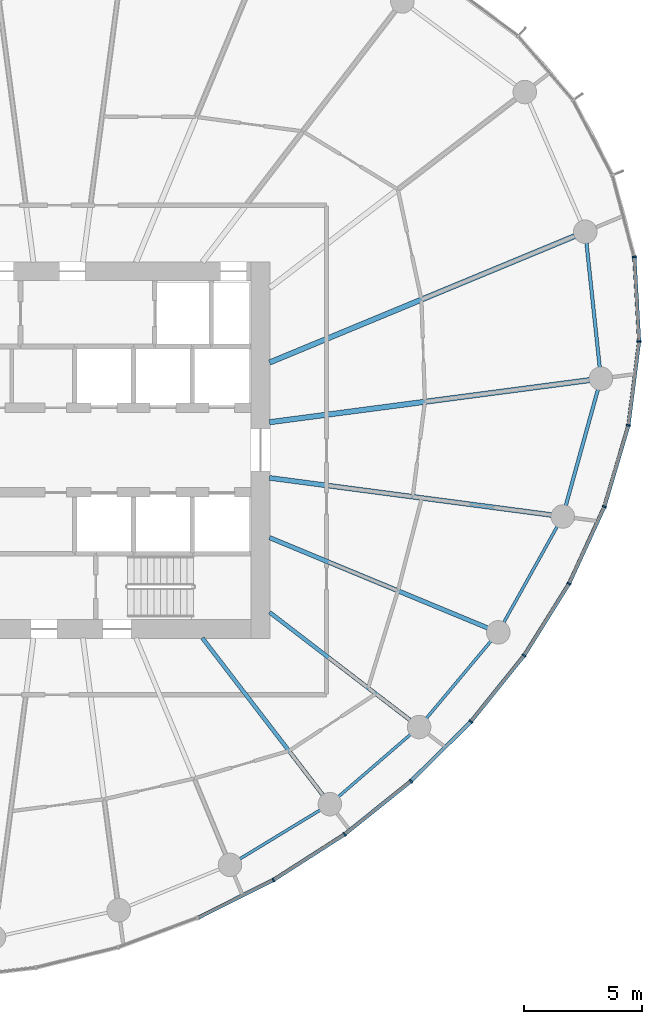
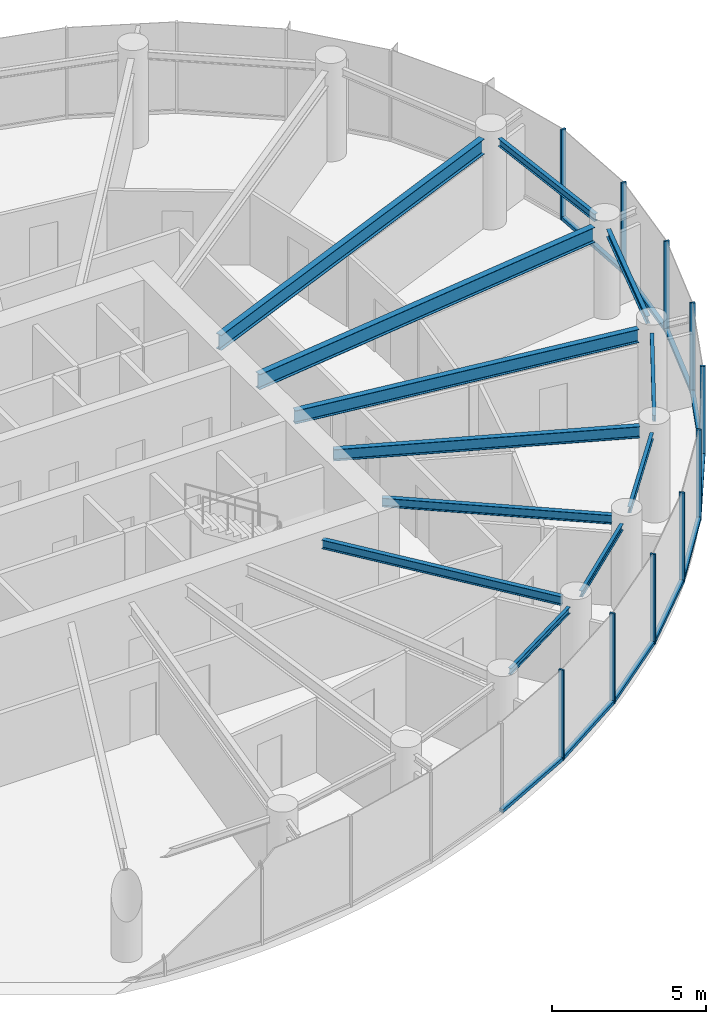
# One storey, part 4 of 14: 20 members, 12 beams, 3 elements without a shape of their own.
"""IFC4 building model written with IfcOpenShell, lengths in metres."""

import ifcopenshell
import ifcopenshell.guid

model = None  # the IFC model being written
_history = None  # IfcOwnerHistory: only IFC2X3 demands one
_inside = {}  # id of a spatial element -> (the spatial element, [elements in it])
_under = {}  # id of a project, library or spatial element -> (it, [spatial elements below it])
_declared = {}  # id of a project -> (the project, [libraries it declares])
_typed = {}  # id of a type object -> (the type object, [elements of that type])
_made_of = {}  # id of a material, layer set ... -> (it, [elements and type objects made of it])


def new_model(schema):
    """Start an empty IFC model of exactly this schema.

    Asked for "IFC4X3", IfcOpenShell would pick the latest addendum, in which some entities
    have other attributes; the version numbers below select the first issue.
    IFC2X3 requires an IfcOwnerHistory on every rooted entity: one is made here for all.
    """
    global model, _history
    if schema == "IFC4X3":
        model = ifcopenshell.file(schema_version=(4, 3, 0, 0))
    else:
        model = ifcopenshell.file(schema=schema)
    _inside.clear()
    _under.clear()
    _declared.clear()
    _typed.clear()
    _made_of.clear()
    _history = None
    if model.schema == "IFC2X3":
        org = make("IfcOrganization", Name="unknown")
        user = make(
            "IfcPersonAndOrganization",
            ThePerson=make("IfcPerson", FamilyName="unknown"),
            TheOrganization=org,
        )
        app = make(
            "IfcApplication",
            ApplicationDeveloper=org,
            Version="unknown",
            ApplicationFullName="unknown",
            ApplicationIdentifier="unknown",
        )
        _history = make(
            "IfcOwnerHistory",
            OwningUser=user,
            OwningApplication=app,
            ChangeAction="ADDED",
            CreationDate=0,
        )
    return model


def make(cls, **values):
    """One entity of the class cls with the attributes given. An attribute that is None is left unset."""
    return model.create_entity(
        cls, **{name: value for name, value in values.items() if value is not None}
    )


def rooted(cls, **values):
    """An entity with a GlobalId (a new one), such as an element, a storey or a relation."""
    return make(cls, GlobalId=ifcopenshell.guid.new(), OwnerHistory=_history, **values)


def si_unit(unit_type, name, prefix=None):
    """IfcSIUnit, for example si_unit("LENGTHUNIT", "METRE", prefix="MILLI")."""
    return make("IfcSIUnit", UnitType=unit_type, Prefix=prefix, Name=name)


def assignment(units):
    """IfcUnitAssignment: the units of a project."""
    return None if units is None else make("IfcUnitAssignment", Units=units)


def point(xyz):
    """IfcCartesianPoint."""
    return None if xyz is None else make("IfcCartesianPoint", Coordinates=xyz)


def direction(xyz):
    """IfcDirection."""
    return None if xyz is None else make("IfcDirection", DirectionRatios=xyz)


def frame(location, z_axis=None, x_axis=None):
    """IfcAxis2Placement3D, a coordinate frame: its origin and axes. An axis left out is left unset."""
    return make(
        "IfcAxis2Placement3D",
        Location=point(location),
        Axis=direction(z_axis),
        RefDirection=direction(x_axis),
    )


def frame_2d(location, x_axis=None):
    """IfcAxis2Placement2D, a coordinate frame in the plane: its origin and x axis."""
    return make(
        "IfcAxis2Placement2D", Location=point(location), RefDirection=direction(x_axis)
    )


def origin():
    """The frame at (0, 0, 0) with its axes left unset."""
    return frame((0.0, 0.0, 0.0))


def origin_2d():
    """The frame at (0, 0) in the plane with its x axis left unset."""
    return frame_2d((0.0, 0.0))


def place(relative_to, where):
    """IfcLocalPlacement: puts the frame where relative to a parent placement (None: the world)."""
    return make(
        "IfcLocalPlacement", PlacementRelTo=relative_to, RelativePlacement=where
    )


def context(
    kind, dimensions, precision=None, world=None, true_north=None, identifier=None
):
    """IfcGeometricRepresentationContext, for example the 3D "Model" context."""
    return make(
        "IfcGeometricRepresentationContext",
        ContextIdentifier=identifier,
        ContextType=kind,
        CoordinateSpaceDimension=dimensions,
        Precision=precision,
        WorldCoordinateSystem=world,
        TrueNorth=true_north,
    )


def subcontext(parent, identifier, kind, view, scale=None):
    """IfcGeometricRepresentationSubContext, for example "Body" below "Model"."""
    return make(
        "IfcGeometricRepresentationSubContext",
        ContextIdentifier=identifier,
        ContextType=kind,
        ParentContext=parent,
        TargetScale=scale,
        TargetView=view,
    )


def project(units=None, contexts=None):
    """IfcProject with its units and contexts."""
    return rooted(
        "IfcProject",
        Name="project",
        RepresentationContexts=contexts,
        UnitsInContext=assignment(units),
    )


def spatial(cls, under=None, at=None, **own):
    """A site, building, storey or space (cls), placed at a placement, below another one or the project."""
    s = rooted(cls, ObjectPlacement=at, **own)
    if under is not None:
        _under.setdefault(under.id(), (under, []))[1].append(s)
    return s


def profile(cls, at=None, kind="AREA", **sizes):
    """A parametric profile (cls). Its sizes go by their IFC names, for example OverallWidth=200.0."""
    return make(cls, ProfileType=kind, Position=at, **sizes)


def rectangle(**sizes):
    """IfcRectangleProfileDef."""
    return profile("IfcRectangleProfileDef", **sizes)


def i_section(**sizes):
    """IfcIShapeProfileDef."""
    return profile("IfcIShapeProfileDef", **sizes)


def extrude(swept, where, along, depth):
    """IfcExtrudedAreaSolid: the profile swept, set in the frame where, extruded along a direction by depth."""
    return make(
        "IfcExtrudedAreaSolid",
        SweptArea=swept,
        Position=where,
        ExtrudedDirection=direction(along),
        Depth=depth,
    )


def shape(context_of_items, identifier, shape_type, items):
    """IfcShapeRepresentation: the items that make up one representation, for example the "Body"."""
    return make(
        "IfcShapeRepresentation",
        ContextOfItems=context_of_items,
        RepresentationIdentifier=identifier,
        RepresentationType=shape_type,
        Items=items,
    )


def source(mapping_origin, context_of_items, identifier, shape_type, items):
    """IfcRepresentationMap: a shape defined once, which mapped items show again and again."""
    return make(
        "IfcRepresentationMap",
        MappingOrigin=mapping_origin,
        MappedRepresentation=shape(context_of_items, identifier, shape_type, items),
    )


def transform(
    local_origin,
    x_axis=None,
    y_axis=None,
    z_axis=None,
    scale=None,
    scale2=None,
    scale3=None,
    uniform=True,
):
    """IfcCartesianTransformationOperator3D, or its non-uniform kind. x_axis, y_axis, z_axis: its Axis1, 2, 3."""
    if uniform:
        return make(
            "IfcCartesianTransformationOperator3D",
            Axis1=direction(x_axis),
            Axis2=direction(y_axis),
            LocalOrigin=point(local_origin),
            Scale=scale,
            Axis3=direction(z_axis),
        )
    return make(
        "IfcCartesianTransformationOperator3DnonUniform",
        Axis1=direction(x_axis),
        Axis2=direction(y_axis),
        LocalOrigin=point(local_origin),
        Scale=scale,
        Axis3=direction(z_axis),
        Scale2=scale2,
        Scale3=scale3,
    )


def mapped(mapping_source, mapping_target):
    """IfcMappedItem: shows the shape of a source again, moved by a transform."""
    return make(
        "IfcMappedItem", MappingSource=mapping_source, MappingTarget=mapping_target
    )


def material(Name=None, Category=None):
    """IfcMaterial."""
    return make("IfcMaterial", Name=Name, Category=Category)


def layer(
    of_material, thickness, ventilated=None, Name=None, Category=None, Priority=None
):
    """IfcMaterialLayer: one layer of a wall or slab, of a material (None: an air gap)."""
    return make(
        "IfcMaterialLayer",
        Material=of_material,
        LayerThickness=thickness,
        IsVentilated=ventilated,
        Name=Name,
        Category=Category,
        Priority=Priority,
    )


def layer_set(layers, Name=None):
    """IfcMaterialLayerSet."""
    return make("IfcMaterialLayerSet", MaterialLayers=layers, LayerSetName=Name)


def material_profile(
    of_material, cross_section, Name=None, Category=None, Priority=None
):
    """IfcMaterialProfile: a cross section and its material."""
    return make(
        "IfcMaterialProfile",
        Name=Name,
        Material=of_material,
        Profile=cross_section,
        Priority=Priority,
        Category=Category,
    )


def profile_set(profiles, Name=None, composite=None):
    """IfcMaterialProfileSet."""
    return make(
        "IfcMaterialProfileSet",
        Name=Name,
        MaterialProfiles=profiles,
        CompositeProfile=composite,
    )


def made_of(thing, what):
    """Note that an element or type object is made of a material, layer set ...; save() writes the relation."""
    if what is not None:
        _made_of.setdefault(what.id(), (what, []))[1].append(thing)
    return thing


def type_object(cls, material=None, **own):
    """A type object (cls), such as IfcWallType, which elements share."""
    return made_of(rooted(cls, **own), material)


def element(
    cls,
    number,
    at=None,
    inside=None,
    cuts=None,
    type_object=None,
    material=None,
    context=None,
    identifier="Body",
    shape_type=None,
    held_by="IfcProductDefinitionShape",
    body=None,
    shapes=None,
    **own,
):
    """One element of the class cls, such as IfcWall. Its Tag is "e" and its number.

    at: its placement. inside: the storey or other place that contains it. cuts: it is an
    opening in that element (IfcRelVoidsElement). A single representation is given by context,
    identifier, shape_type and body (its items); several are given by shapes. held_by: the class
    of the entity that holds the representations. save() writes the other relations.
    """
    e = rooted(cls, Tag="e%d" % number, ObjectPlacement=at, **own)
    if body is not None:
        shapes = [shape(context, identifier, shape_type, body)]
    if shapes is not None:
        e.Representation = make(held_by, Representations=shapes)
    if inside is not None:
        _inside.setdefault(inside.id(), (inside, []))[1].append(e)
    if cuts is not None:
        rooted(
            "IfcRelVoidsElement", RelatingBuildingElement=cuts, RelatedOpeningElement=e
        )
    if type_object is not None:
        _typed.setdefault(type_object.id(), (type_object, []))[1].append(e)
    return made_of(e, material)


def aggregate(whole, parts):
    """IfcRelAggregates: a whole, such as a stair, and the parts it consists of."""
    return rooted("IfcRelAggregates", RelatingObject=whole, RelatedObjects=parts)


def save(model, path):
    """Write the relations noted so far, then the file.

    IfcRelAggregates (storeys below a building ...), IfcRelContainedInSpatialStructure (elements
    in a storey), IfcRelDefinesByType, IfcRelAssociatesMaterial and IfcRelDeclares: one each for
    every whole, place, type object, material and project.
    """
    for whole, parts in _under.values():
        aggregate(whole, parts)
    for where, things in _inside.values():
        rooted(
            "IfcRelContainedInSpatialStructure",
            RelatedElements=things,
            RelatingStructure=where,
        )
    for kind, things in _typed.values():
        rooted("IfcRelDefinesByType", RelatedObjects=things, RelatingType=kind)
    for what, things in _made_of.values():
        rooted("IfcRelAssociatesMaterial", RelatedObjects=things, RelatingMaterial=what)
    for by, libraries in _declared.values():
        rooted("IfcRelDeclares", RelatingContext=by, RelatedDefinitions=libraries)
    model.write(path)


model = new_model("IFC4")

# Units and contexts
model_context = context("Model", 3, precision=1e-05, world=origin(), true_north=direction((0.0, 1.0)))
body_context = subcontext(model_context, "Body", "Model", "MODEL_VIEW")
ifc_project = project(units=[si_unit("LENGTHUNIT", "METRE"), si_unit("AREAUNIT", "SQUARE_METRE"), si_unit("VOLUMEUNIT", "CUBIC_METRE"), si_unit("PLANEANGLEUNIT", "RADIAN"), si_unit("MASSUNIT", "GRAM", prefix="KILO")], contexts=[model_context])

# Site, building, storey
site_placement = place(None, origin())
site = spatial("IfcSite", under=ifc_project, at=site_placement, CompositionType="ELEMENT")
building_placement = place(site_placement, origin())
building = spatial("IfcBuilding", under=site, at=building_placement, Name="Spindrift Exchange Tower", CompositionType="ELEMENT")
storey_placement = place(building_placement, frame((0.0, 0.0, 144.800048828125)))
storey = spatial("IfcBuildingStorey", under=building, at=storey_placement, Name="L34", CompositionType="ELEMENT", Elevation=144.800048828125)

# Beams
ifc_material_1 = material(Name="Steel Grade 300", Category="steel")
ifc_material_profile_1 = material_profile(ifc_material_1, i_section(OverallWidth=0.14892578125, OverallDepth=0.298095703125, WebThickness=0.005615234375, FlangeThickness=0.008056640625, FilletRadius=0.012939453125, at=origin_2d()), Name="310UB32.0")
ifc_profile_set_1 = profile_set([ifc_material_profile_1], Name="Steel Grade 300")
beam_type_1 = type_object("IfcBeamType", Name="Edge Beam 310UB32.0 Steel Grade 300", PredefinedType="SPANDREL", material=ifc_profile_set_1)
shared_shape_1 = source(origin(), body_context, "Body", "SweptSolid", [
    extrude(i_section(OverallWidth=0.14892578125, OverallDepth=0.298095703125, WebThickness=0.005615234375, FlangeThickness=0.008056640625, FilletRadius=0.012939453125, at=origin_2d()), origin(), (0.0, 0.0, 1.0), 5.31640625),
])
beam_1_placement = place(storey_placement, frame((75.010986328125, 51.513427734375, 3.430908203125), z_axis=(-0.10598990948, 0.994367205357, 0.0), x_axis=(-0.994367205357, -0.10598990948, 0.0)))
element("IfcBeam", 1, at=beam_1_placement, inside=storey, type_object=beam_type_1, Name="L34 edge beam E01", PredefinedType="SPANDREL", context=body_context, shape_type="MappedRepresentation", body=[
    mapped(shared_shape_1, transform((0.0, 0.0, 0.0), scale=1.0)),
])
ifc_material_profile_2 = material_profile(ifc_material_1, i_section(OverallWidth=0.1240234375, OverallDepth=0.248046875, WebThickness=0.0048828125, FlangeThickness=0.008056640625, FilletRadius=0.011962890625, at=origin_2d()), Name="250UB25.7")
ifc_profile_set_2 = profile_set([ifc_material_profile_2], Name="Steel Grade 300")
beam_type_2 = type_object("IfcBeamType", Name="Edge Beam 250UB25.7 Steel Grade 300", PredefinedType="SPANDREL", material=ifc_profile_set_2)
shared_shape_2 = source(origin(), body_context, "Body", "SweptSolid", [
    extrude(i_section(OverallWidth=0.1240234375, OverallDepth=0.248046875, WebThickness=0.0048828125, FlangeThickness=0.008056640625, FilletRadius=0.011962890625, at=origin_2d()), origin(), (0.0, 0.0, 1.0), 4.00634765625),
])
beam_2_placement = place(storey_placement, frame((59.7109375, 30.623779296875, 3.4560546875), z_axis=(0.854331495603, 0.519728482596, 0.0), x_axis=(-0.519728482596, 0.854331495603, 0.0)))
element("IfcBeam", 2, at=beam_2_placement, inside=storey, type_object=beam_type_2, Name="L34 edge beam E20", PredefinedType="SPANDREL", context=body_context, shape_type="MappedRepresentation", body=[
    mapped(shared_shape_2, transform((0.0, 0.0, 0.0), scale=1.0)),
])
shared_shape_3 = source(origin(), body_context, "Body", "SweptSolid", [
    extrude(i_section(OverallWidth=0.1240234375, OverallDepth=0.248046875, WebThickness=0.0048828125, FlangeThickness=0.008056640625, FilletRadius=0.011962890625, at=origin_2d()), origin(), (0.0, 0.0, 1.0), 4.052001953125),
])
beam_3_placement = place(storey_placement, frame((63.906982421875, 33.269287109375, 3.4560546875), z_axis=(0.756715968535, 0.65374379, 0.0), x_axis=(-0.65374379, 0.756715968535, 0.0)))
element("IfcBeam", 3, at=beam_3_placement, inside=storey, type_object=beam_type_2, Name="L34 edge beam E21", PredefinedType="SPANDREL", context=body_context, shape_type="MappedRepresentation", body=[
    mapped(shared_shape_3, transform((0.0, 0.0, 0.0), scale=1.0)),
])
shared_shape_4 = source(origin(), body_context, "Body", "SweptSolid", [
    extrude(i_section(OverallWidth=0.1240234375, OverallDepth=0.248046875, WebThickness=0.0048828125, FlangeThickness=0.008056640625, FilletRadius=0.011962890625, at=origin_2d()), origin(), (0.0, 0.0, 1.0), 4.282958984375),
])
beam_4_placement = place(storey_placement, frame((67.644287109375, 36.600341796875, 3.4560546875), z_axis=(0.641400288548, 0.767206406289, 0.0), x_axis=(-0.767206406289, 0.641400288548, 0.0)))
element("IfcBeam", 4, at=beam_4_placement, inside=storey, type_object=beam_type_2, Name="L34 edge beam E22", PredefinedType="SPANDREL", context=body_context, shape_type="MappedRepresentation", body=[
    mapped(shared_shape_4, transform((0.0, 0.0, 0.0), scale=1.0)),
])
shared_shape_5 = source(origin(), body_context, "Body", "SweptSolid", [
    extrude(i_section(OverallWidth=0.1240234375, OverallDepth=0.248046875, WebThickness=0.0048828125, FlangeThickness=0.008056640625, FilletRadius=0.011962890625, at=origin_2d()), origin(), (0.0, 0.0, 1.0), 4.6748046875),
])
beam_5_placement = place(storey_placement, frame((70.932861328125, 40.673828125, 3.4560546875), z_axis=(0.486587145143, 0.873632045075, 0.0), x_axis=(-0.873632045075, 0.486587145143, 0.0)))
element("IfcBeam", 5, at=beam_5_placement, inside=storey, type_object=beam_type_2, Name="L34 edge beam E23", PredefinedType="SPANDREL", context=body_context, shape_type="MappedRepresentation", body=[
    mapped(shared_shape_5, transform((0.0, 0.0, 0.0), scale=1.0)),
])
shared_shape_6 = source(origin(), body_context, "Body", "SweptSolid", [
    extrude(i_section(OverallWidth=0.14892578125, OverallDepth=0.298095703125, WebThickness=0.005615234375, FlangeThickness=0.008056640625, FilletRadius=0.012939453125, at=origin_2d()), origin(), (0.0, 0.0, 1.0), 5.118896484375),
])
beam_6_placement = place(storey_placement, frame((73.569091796875, 45.639892578125, 3.430908203125), z_axis=(0.266654866605, 0.963792084485, 0.0), x_axis=(-0.963792084485, 0.266654866605, 0.0)))
element("IfcBeam", 6, at=beam_6_placement, inside=storey, type_object=beam_type_1, Name="L34 edge beam E24", PredefinedType="SPANDREL", context=body_context, shape_type="MappedRepresentation", body=[
    mapped(shared_shape_6, transform((0.0, 0.0, 0.0), scale=1.0)),
])
ifc_material_profile_3 = material_profile(ifc_material_1, i_section(OverallWidth=0.22802734375, OverallDepth=0.60205078125, WebThickness=0.010498046875, FlangeThickness=0.014892578125, FilletRadius=0.013916015625, at=origin_2d()), Name="610UB101")
ifc_profile_set_3 = profile_set([ifc_material_profile_3], Name="Steel Grade 300")
beam_type_3 = type_object("IfcBeamType", Name="Floor Beam 610UB101 Steel Grade 300", PredefinedType="BEAM", material=ifc_profile_set_3)
shared_shape_7 = source(origin(), body_context, "Body", "SweptSolid", [
    extrude(i_section(OverallWidth=0.22802734375, OverallDepth=0.60205078125, WebThickness=0.010498046875, FlangeThickness=0.014892578125, FilletRadius=0.013916015625, at=origin_2d()), origin(), (0.0, 0.0, 1.0), 13.723388671875),
])
beam_7_placement = place(storey_placement, frame((60.980224609375, 49.182373046875, 3.279052734375), z_axis=(0.991447148915, 0.13050881544, 0.0), x_axis=(-0.13050881544, 0.991447148915, 0.0)))
element("IfcBeam", 7, at=beam_7_placement, inside=storey, type_object=beam_type_3, Name="L34 radial beam R01A", PredefinedType="BEAM", context=body_context, shape_type="MappedRepresentation", body=[
    mapped(shared_shape_7, transform((0.0, 0.0, 0.0), scale=1.0)),
])
shared_shape_8 = source(origin(), body_context, "Body", "SweptSolid", [
    extrude(i_section(OverallWidth=0.22802734375, OverallDepth=0.60205078125, WebThickness=0.010498046875, FlangeThickness=0.014892578125, FilletRadius=0.013916015625, at=origin_2d()), origin(), (0.0, 0.0, 1.0), 14.04052734375),
])
beam_8_placement = place(storey_placement, frame((60.9814453125, 51.72021484375, 3.279052734375), z_axis=(0.923879501748, 0.382683506634, 0.0), x_axis=(-0.382683506634, 0.923879501748, 0.0)))
element("IfcBeam", 8, at=beam_8_placement, inside=storey, type_object=beam_type_3, Name="L34 radial beam R02A", PredefinedType="BEAM", context=body_context, shape_type="MappedRepresentation", body=[
    mapped(shared_shape_8, transform((0.0, 0.0, 0.0), scale=1.0)),
])
ifc_material_profile_4 = material_profile(ifc_material_1, i_section(OverallWidth=0.1708984375, OverallDepth=0.35205078125, WebThickness=0.0068359375, FlangeThickness=0.009765625, FilletRadius=0.013916015625, at=origin_2d()), Name="360UB44.7")
ifc_profile_set_4 = profile_set([ifc_material_profile_4], Name="Steel Grade 300")
beam_type_4 = type_object("IfcBeamType", Name="Floor Beam 360UB44.7 Steel Grade 300", PredefinedType="BEAM", material=ifc_profile_set_4)
shared_shape_9 = source(origin(), body_context, "Body", "SweptSolid", [
    extrude(i_section(OverallWidth=0.1708984375, OverallDepth=0.35205078125, WebThickness=0.0068359375, FlangeThickness=0.009765625, FilletRadius=0.013916015625, at=origin_2d()), origin(), (0.0, 0.0, 1.0), 8.419189453125),
])
beam_9_placement = place(storey_placement, frame((58.12646484375, 40.015869140625, 3.404052734375), z_axis=(0.608755970582, -0.79335752866, 0.0), x_axis=(0.79335752866, 0.608755970582, 0.0)))
element("IfcBeam", 9, at=beam_9_placement, inside=storey, type_object=beam_type_4, Name="L34 radial beam R21A", PredefinedType="BEAM", context=body_context, shape_type="MappedRepresentation", body=[
    mapped(shared_shape_9, transform((0.0, 0.0, 0.0), scale=1.0)),
])
shared_shape_10 = source(origin(), body_context, "Body", "SweptSolid", [
    extrude(i_section(OverallWidth=0.1708984375, OverallDepth=0.35205078125, WebThickness=0.0068359375, FlangeThickness=0.009765625, FilletRadius=0.013916015625, at=origin_2d()), origin(), (0.0, 0.0, 1.0), 7.52685546875),
])
beam_10_placement = place(storey_placement, frame((60.984130859375, 41.106201171875, 3.404052734375), z_axis=(0.793354136078, -0.608760391918, 0.0), x_axis=(0.608760391918, 0.793354136078, 0.0)))
element("IfcBeam", 10, at=beam_10_placement, inside=storey, type_object=beam_type_4, Name="L34 radial beam R22A", PredefinedType="BEAM", context=body_context, shape_type="MappedRepresentation", body=[
    mapped(shared_shape_10, transform((0.0, 0.0, 0.0), scale=1.0)),
])
ifc_material_profile_5 = material_profile(ifc_material_1, i_section(OverallWidth=0.18994140625, OverallDepth=0.4541015625, WebThickness=0.008544921875, FlangeThickness=0.0126953125, FilletRadius=0.013916015625, at=origin_2d()), Name="460UB67.1")
ifc_profile_set_5 = profile_set([ifc_material_profile_5], Name="Steel Grade 300")
beam_type_5 = type_object("IfcBeamType", Name="Floor Beam 460UB67.1 Steel Grade 300", PredefinedType="BEAM", material=ifc_profile_set_5)
shared_shape_11 = source(origin(), body_context, "Body", "SweptSolid", [
    extrude(i_section(OverallWidth=0.18994140625, OverallDepth=0.4541015625, WebThickness=0.008544921875, FlangeThickness=0.0126953125, FilletRadius=0.013916015625, at=origin_2d()), origin(), (0.0, 0.0, 1.0), 10.03857421875),
])
beam_11_placement = place(storey_placement, frame((60.9814453125, 44.27978515625, 3.35302734375), z_axis=(0.923880777638, -0.382680426349, 0.0), x_axis=(0.382680426349, 0.923880777638, 0.0)))
element("IfcBeam", 11, at=beam_11_placement, inside=storey, type_object=beam_type_5, Name="L34 radial beam R23A", PredefinedType="BEAM", context=body_context, shape_type="MappedRepresentation", body=[
    mapped(shared_shape_11, transform((0.0, 0.0, 0.0), scale=1.0)),
])
ifc_material_profile_6 = material_profile(ifc_material_1, i_section(OverallWidth=0.208984375, OverallDepth=0.528076171875, WebThickness=0.009521484375, FlangeThickness=0.01318359375, FilletRadius=0.013916015625, at=origin_2d()), Name="530UB82.0")
ifc_profile_set_6 = profile_set([ifc_material_profile_6], Name="Steel Grade 300")
beam_type_6 = type_object("IfcBeamType", Name="Floor Beam 530UB82.0 Steel Grade 300", PredefinedType="BEAM", material=ifc_profile_set_6)
shared_shape_12 = source(origin(), body_context, "Body", "SweptSolid", [
    extrude(i_section(OverallWidth=0.208984375, OverallDepth=0.528076171875, WebThickness=0.009521484375, FlangeThickness=0.01318359375, FilletRadius=0.013916015625, at=origin_2d()), origin(), (0.0, 0.0, 1.0), 12.088134765625),
])
beam_12_placement = place(storey_placement, frame((60.980224609375, 46.817626953125, 3.31591796875), z_axis=(0.991447007302, -0.130509891244, 0.0), x_axis=(0.130509891244, 0.991447007302, 0.0)))
element("IfcBeam", 12, at=beam_12_placement, inside=storey, type_object=beam_type_6, Name="L34 radial beam R24A", PredefinedType="BEAM", context=body_context, shape_type="MappedRepresentation", body=[
    mapped(shared_shape_12, transform((0.0, 0.0, 0.0), scale=1.0)),
])

# Curtain wall, members
ifc_material_2 = material(Name="Fritted laminated glass with bronze frame", Category="glass")
ifc_layer = layer(ifc_material_2, 0.179931640625)
ifc_layer_set = layer_set([ifc_layer], Name="ZONE 3 BRONZE FRITTED WALL")
curtain_wall_type = type_object("IfcCurtainWallType", Name="ZONE 3 BRONZE FRITTED WALL", PredefinedType="NOTDEFINED", material=ifc_layer_set)
curtain_wall_1_placement = place(storey_placement, origin())
curtain_wall_1 = element("IfcCurtainWall", 13, at=curtain_wall_1_placement, inside=storey, type_object=curtain_wall_type, Name="L34 Zone 3 Bronze Fritted Wall run 6", PredefinedType="NOTDEFINED")
ifc_material_3 = material(Name="Bronze anodised aluminium", Category="aluminium")
ifc_material_profile_7 = material_profile(ifc_material_3, rectangle(XDim=0.070068359375, YDim=0.179931640625, at=origin_2d()), Name="ZONE 3 BRONZE FRITTED WALL MULLION 70X180")
ifc_profile_set_7 = profile_set([ifc_material_profile_7], Name="Bronze anodised aluminium")
member_type_1 = type_object("IfcMemberType", Name="ZONE 3 BRONZE FRITTED WALL MULLION 70X180", PredefinedType="MULLION", material=ifc_profile_set_7)
shared_shape_13 = source(origin(), body_context, "Body", "SweptSolid", [
    extrude(rectangle(XDim=0.070068359375, YDim=0.179931640625, at=origin_2d()), origin(), (0.0, 0.0, 1.0), 3.579833984375),
])
member_1_placement = place(storey_placement, frame((61.143310546875, 29.732421875, 0.0), z_axis=(0.0, 0.0, 1.0), x_axis=(0.869027909267, 0.494763067452, 0.0)))
member_1 = element("IfcMember", 14, at=member_1_placement, type_object=member_type_1, Name="L34 mullion CW-3.31", PredefinedType="MULLION", context=body_context, shape_type="MappedRepresentation", body=[
    mapped(shared_shape_13, transform((0.0, 0.0, 0.0), scale=1.0)),
])
member_2_placement = place(storey_placement, frame((64.17431640625, 31.6767578125, 0.0), z_axis=(0.0, 0.0, 1.0), x_axis=(0.812208451809, 0.583367320656, 0.0)))
member_2 = element("IfcMember", 15, at=member_2_placement, type_object=member_type_1, Name="L34 mullion CW-3.32", PredefinedType="MULLION", context=body_context, shape_type="MappedRepresentation", body=[
    mapped(shared_shape_13, transform((0.0, 0.0, 0.0), scale=1.0)),
])
member_3_placement = place(storey_placement, frame((66.984619140625, 33.927978515625, 0.0), z_axis=(0.0, 0.0, 1.0), x_axis=(0.745986512881, 0.665961051864, 0.0)))
member_3 = element("IfcMember", 16, at=member_3_placement, type_object=member_type_1, Name="L34 mullion CW-3.33", PredefinedType="MULLION", context=body_context, shape_type="MappedRepresentation", body=[
    mapped(shared_shape_13, transform((0.0, 0.0, 0.0), scale=1.0)),
])
member_4_placement = place(storey_placement, frame((69.538818359375, 36.466064453125, 0.0), z_axis=(0.0, 0.0, 1.0), x_axis=(0.669127534669, 0.743147591228, 0.0)))
member_4 = element("IfcMember", 17, at=member_4_placement, type_object=member_type_1, Name="L34 mullion CW-3.34", PredefinedType="MULLION", context=body_context, shape_type="MappedRepresentation", body=[
    mapped(shared_shape_13, transform((0.0, 0.0, 0.0), scale=1.0)),
])
member_5_placement = place(storey_placement, frame((71.7958984375, 39.271484375, 0.0), z_axis=(0.0, 0.0, 1.0), x_axis=(0.579654921007, 0.814862057377, 0.0)))
member_5 = element("IfcMember", 18, at=member_5_placement, type_object=member_type_1, Name="L34 mullion CW-3.35", PredefinedType="MULLION", context=body_context, shape_type="MappedRepresentation", body=[
    mapped(shared_shape_13, transform((0.0, 0.0, 0.0), scale=1.0)),
])
member_6_placement = place(storey_placement, frame((73.70556640625, 42.323486328125, 0.0), z_axis=(0.0, 0.0, 1.0), x_axis=(0.474833839035, 0.880075465689, 0.0)))
member_6 = element("IfcMember", 19, at=member_6_placement, type_object=member_type_1, Name="L34 mullion CW-3.36", PredefinedType="MULLION", context=body_context, shape_type="MappedRepresentation", body=[
    mapped(shared_shape_13, transform((0.0, 0.0, 0.0), scale=1.0)),
])

curtain_wall_2_placement = place(storey_placement, origin())
curtain_wall_2 = element("IfcCurtainWall", 20, at=curtain_wall_2_placement, inside=storey, type_object=curtain_wall_type, Name="L34 Zone 3 Bronze Fritted Wall run 7", PredefinedType="NOTDEFINED")
member_7_placement = place(storey_placement, frame((75.20751953125, 45.594970703125, 0.0), z_axis=(0.0, 0.0, 1.0), x_axis=(0.351314201488, 0.93625762044, 0.0)))
member_7 = element("IfcMember", 21, at=member_7_placement, type_object=member_type_1, Name="L34 mullion CW-3.37", PredefinedType="MULLION", context=body_context, shape_type="MappedRepresentation", body=[
    mapped(shared_shape_13, transform((0.0, 0.0, 0.0), scale=1.0)),
])
member_8_placement = place(storey_placement, frame((76.228271484375, 49.04638671875, 0.0), z_axis=(0.0, 0.0, 1.0), x_axis=(0.20559268177, 0.978637649594, 0.0)))
member_8 = element("IfcMember", 22, at=member_8_placement, type_object=member_type_1, Name="L34 mullion CW-3.38", PredefinedType="MULLION", context=body_context, shape_type="MappedRepresentation", body=[
    mapped(shared_shape_13, transform((0.0, 0.0, 0.0), scale=1.0)),
])
member_9_placement = place(storey_placement, frame((76.6826171875, 52.615478515625, 0.0), z_axis=(0.0, 0.0, 1.0), x_axis=(0.03543495129, 0.999371984912, 0.0)))
member_9 = element("IfcMember", 23, at=member_9_placement, type_object=member_type_1, Name="L34 mullion CW-3.39", PredefinedType="MULLION", context=body_context, shape_type="MappedRepresentation", body=[
    mapped(shared_shape_13, transform((0.0, 0.0, 0.0), scale=1.0)),
])
member_10_placement = place(storey_placement, frame((76.482421875, 56.20703125, 0.0), z_axis=(0.0, 0.0, 1.0), x_axis=(-0.157279593114, 0.987554114765, 0.0)))
member_10 = element("IfcMember", 24, at=member_10_placement, type_object=member_type_1, Name="L34 mullion CW-3.40", PredefinedType="MULLION", context=body_context, shape_type="MappedRepresentation", body=[
    mapped(shared_shape_13, transform((0.0, 0.0, 0.0), scale=1.0)),
])

# Member
ifc_material_profile_8 = material_profile(ifc_material_3, rectangle(XDim=0.159912109375, YDim=0.1298828125, at=origin_2d()), Name="ZONE 3 BRONZE FRITTED WALL TRANSOM 160X130")
ifc_profile_set_8 = profile_set([ifc_material_profile_8], Name="Bronze anodised aluminium")
member_type_2 = type_object("IfcMemberType", Name="ZONE 3 BRONZE FRITTED WALL TRANSOM 160X130", PredefinedType="USERDEFINED", material=ifc_profile_set_8)
shared_shape_14 = source(origin(), body_context, "Body", "SweptSolid", [
    extrude(rectangle(XDim=0.159912109375, YDim=0.1298828125, at=origin_2d()), origin(), (0.0, 0.0, 1.0), 3.53076171875),
])
member_11_placement = place(storey_placement, frame((61.1728515625, 29.75146484375, 0.06494140625), z_axis=(0.841697046838, 0.539950073011, 0.0), x_axis=(-0.539950073011, 0.841697046838, 0.0)))
member_11 = element("IfcMember", 25, at=member_11_placement, type_object=member_type_2, Name="L34 transom CW-3.31", ObjectType="TRANSOM", PredefinedType="USERDEFINED", context=body_context, shape_type="MappedRepresentation", body=[
    mapped(shared_shape_14, transform((0.0, 0.0, 0.0), scale=1.0)),
])

member_12_placement = place(storey_placement, frame((64.201416015625, 31.69873046875, 0.06494140625), z_axis=(0.780511150213, 0.625141859415, 0.0), x_axis=(-0.625141859415, 0.780511150213, 0.0)))
member_12 = element("IfcMember", 26, at=member_12_placement, type_object=member_type_2, Name="L34 transom CW-3.32", ObjectType="TRANSOM", PredefinedType="USERDEFINED", context=body_context, shape_type="MappedRepresentation", body=[
    mapped(shared_shape_14, transform((0.0, 0.0, 0.0), scale=1.0)),
])

member_13_placement = place(storey_placement, frame((69.560791015625, 36.4931640625, 0.06494140625), z_axis=(0.626826183245, 0.779159121103, 0.0), x_axis=(-0.779159121103, 0.626826183245, 0.0)))
member_13 = element("IfcMember", 27, at=member_13_placement, type_object=member_type_2, Name="L34 transom CW-3.34", ObjectType="TRANSOM", PredefinedType="USERDEFINED", context=body_context, shape_type="MappedRepresentation", body=[
    mapped(shared_shape_14, transform((0.0, 0.0, 0.0), scale=1.0)),
])

# Curtain wall, member
curtain_wall_3_placement = place(storey_placement, origin())
curtain_wall_3 = element("IfcCurtainWall", 28, at=curtain_wall_3_placement, inside=storey, type_object=curtain_wall_type, Name="L34 Zone 3 Bronze Fritted Wall run 5", PredefinedType="NOTDEFINED")
shared_shape_15 = source(origin(), body_context, "Body", "SweptSolid", [
    extrude(rectangle(XDim=0.159912109375, YDim=0.1298828125, at=origin_2d()), origin(), (0.0, 0.0, 1.0), 3.531005859375),
])
member_14_placement = place(storey_placement, frame((57.95556640625, 28.13427734375, 0.06494140625), z_axis=(0.893942670079, 0.448181327825, 0.0), x_axis=(-0.448181327825, 0.893942670079, 0.0)))
member_14 = element("IfcMember", 29, at=member_14_placement, type_object=member_type_2, Name="L34 transom CW-3.30", ObjectType="TRANSOM", PredefinedType="USERDEFINED", context=body_context, shape_type="MappedRepresentation", body=[
    mapped(shared_shape_15, transform((0.0, 0.0, 0.0), scale=1.0)),
])
aggregate(curtain_wall_3, [member_14])

# Member
member_15_placement = place(storey_placement, frame((67.009521484375, 33.95263671875, 0.06494140625), z_axis=(0.709350397052, 0.70485602374, 0.0), x_axis=(-0.70485602374, 0.709350397052, 0.0)))
member_15 = element("IfcMember", 30, at=member_15_placement, type_object=member_type_2, Name="L34 transom CW-3.33", ObjectType="TRANSOM", PredefinedType="USERDEFINED", context=body_context, shape_type="MappedRepresentation", body=[
    mapped(shared_shape_15, transform((0.0, 0.0, 0.0), scale=1.0)),
])

shared_shape_16 = source(origin(), body_context, "Body", "SweptSolid", [
    extrude(rectangle(XDim=0.159912109375, YDim=0.1298828125, at=origin_2d()), origin(), (0.0, 0.0, 1.0), 3.5302734375),
])
member_16_placement = place(storey_placement, frame((71.814453125, 39.301025390625, 0.06494140625), z_axis=(0.53043401525, 0.847726226718, 0.0), x_axis=(-0.847726226718, 0.53043401525, 0.0)))
member_16 = element("IfcMember", 31, at=member_16_placement, type_object=member_type_2, Name="L34 transom CW-3.35", ObjectType="TRANSOM", PredefinedType="USERDEFINED", context=body_context, shape_type="MappedRepresentation", body=[
    mapped(shared_shape_16, transform((0.0, 0.0, 0.0), scale=1.0)),
])

shared_shape_17 = source(origin(), body_context, "Body", "SweptSolid", [
    extrude(rectangle(XDim=0.159912109375, YDim=0.1298828125, at=origin_2d()), origin(), (0.0, 0.0, 1.0), 3.528076171875),
])
member_17_placement = place(storey_placement, frame((76.232666015625, 49.0810546875, 0.06494140625), z_axis=(0.126291423791, 0.991993183584, 0.0), x_axis=(-0.991993183584, 0.126291423791, 0.0)))
member_17 = element("IfcMember", 32, at=member_17_placement, type_object=member_type_2, Name="L34 transom CW-3.38", ObjectType="TRANSOM", PredefinedType="USERDEFINED", context=body_context, shape_type="MappedRepresentation", body=[
    mapped(shared_shape_17, transform((0.0, 0.0, 0.0), scale=1.0)),
])

shared_shape_18 = source(origin(), body_context, "Body", "SweptSolid", [
    extrude(rectangle(XDim=0.159912109375, YDim=0.1298828125, at=origin_2d()), origin(), (0.0, 0.0, 1.0), 3.52978515625),
])
member_18_placement = place(storey_placement, frame((73.72021484375, 42.355224609375, 0.06494140625), z_axis=(0.417280979464, 0.908777521827, 0.0), x_axis=(-0.908777521827, 0.417280979464, 0.0)))
member_18 = element("IfcMember", 33, at=member_18_placement, type_object=member_type_2, Name="L34 transom CW-3.36", ObjectType="TRANSOM", PredefinedType="USERDEFINED", context=body_context, shape_type="MappedRepresentation", body=[
    mapped(shared_shape_18, transform((0.0, 0.0, 0.0), scale=1.0)),
])

aggregate(curtain_wall_1, [member_1, member_11, member_2, member_12, member_3, member_15, member_4, member_13, member_5, member_16, member_6, member_18])

shared_shape_19 = source(origin(), body_context, "Body", "SweptSolid", [
    extrude(rectangle(XDim=0.159912109375, YDim=0.1298828125, at=origin_2d()), origin(), (0.0, 0.0, 1.0), 3.529052734375),
])
member_19_placement = place(storey_placement, frame((75.217529296875, 45.62841796875, 0.06494140625), z_axis=(0.283563035759, 0.958953598852, 0.0), x_axis=(-0.958953598852, 0.283563035759, 0.0)))
member_19 = element("IfcMember", 34, at=member_19_placement, type_object=member_type_2, Name="L34 transom CW-3.37", ObjectType="TRANSOM", PredefinedType="USERDEFINED", context=body_context, shape_type="MappedRepresentation", body=[
    mapped(shared_shape_19, transform((0.0, 0.0, 0.0), scale=1.0)),
])

shared_shape_20 = source(origin(), body_context, "Body", "SweptSolid", [
    extrude(rectangle(XDim=0.159912109375, YDim=0.1298828125, at=origin_2d()), origin(), (0.0, 0.0, 1.0), 3.52685546875),
])
member_20_placement = place(storey_placement, frame((76.6806640625, 52.650634765625, 0.06494140625), z_axis=(-0.055723047869, 0.99844626392, 0.0), x_axis=(-0.99844626392, -0.055723047869, 0.0)))
member_20 = element("IfcMember", 35, at=member_20_placement, type_object=member_type_2, Name="L34 transom CW-3.39", ObjectType="TRANSOM", PredefinedType="USERDEFINED", context=body_context, shape_type="MappedRepresentation", body=[
    mapped(shared_shape_20, transform((0.0, 0.0, 0.0), scale=1.0)),
])

aggregate(curtain_wall_2, [member_7, member_19, member_8, member_17, member_9, member_20, member_10])

save(model, "model.ifc")
